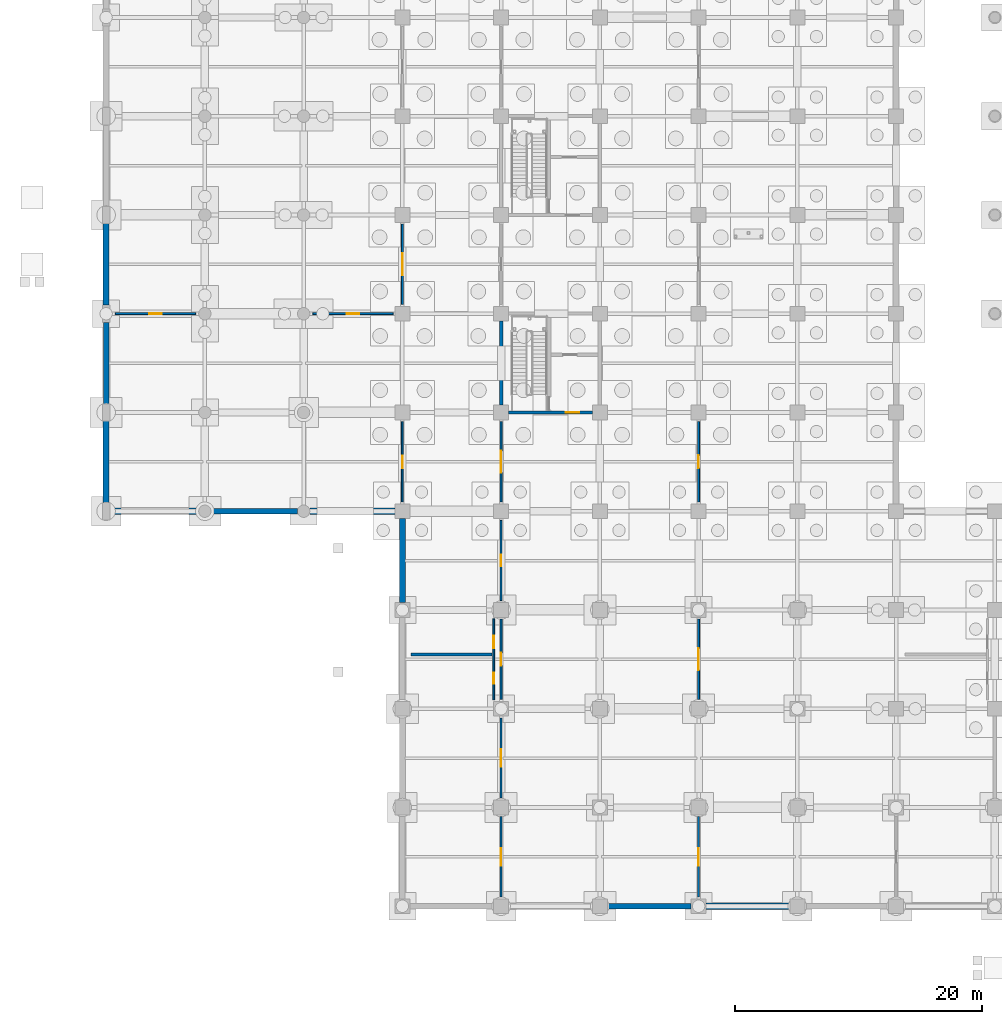
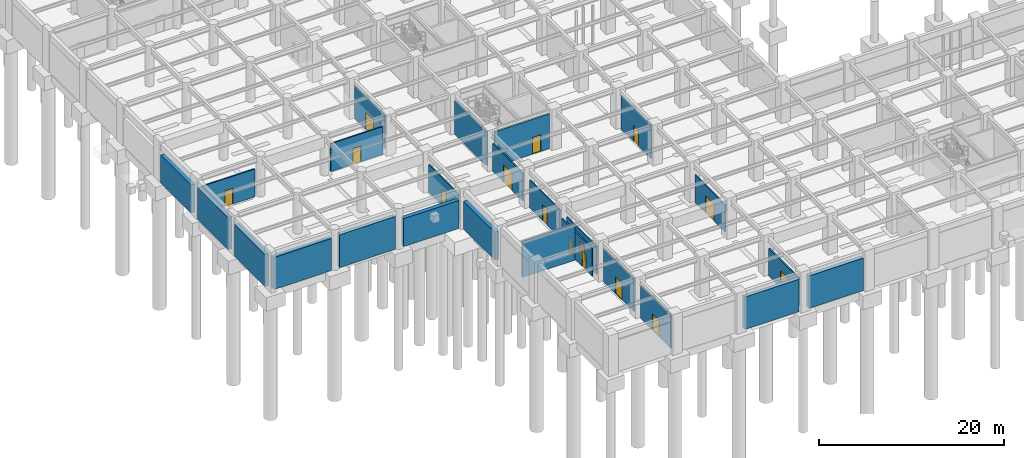
# One storey, part 67 of 97: 25 walls, 15 doors, 15 openings.
"""IFC4 building model written with IfcOpenShell, lengths in metres."""

from ifc_helpers import new_model, si_unit, direction, frame, frame_2d, origin, place, context, subcontext, project, spatial, rectangle, extrude, material, layer, layer_set, type_object, element, fill, save


model = new_model("IFC4")

# Units and contexts
model_context = context("Model", 3, precision=1e-05, world=origin(), true_north=direction((0.0, 1.0)))
body_context = subcontext(model_context, "Body", "Model", "MODEL_VIEW")
ifc_project = project(units=[si_unit("LENGTHUNIT", "METRE"), si_unit("AREAUNIT", "SQUARE_METRE"), si_unit("VOLUMEUNIT", "CUBIC_METRE"), si_unit("PLANEANGLEUNIT", "RADIAN"), si_unit("MASSUNIT", "GRAM", prefix="KILO")], contexts=[model_context])

# Site, building, storey
site_placement = place(None, origin())
site = spatial("IfcSite", under=ifc_project, at=site_placement, CompositionType="ELEMENT")
building_placement = place(site_placement, origin())
building = spatial("IfcBuilding", under=site, at=building_placement, Name="Haebicheon Civic Stadium", CompositionType="ELEMENT")
storey_placement = place(building_placement, frame((0.0, 0.0, -5.39990234375)))
storey = spatial("IfcBuildingStorey", under=building, at=storey_placement, Name="B1", CompositionType="ELEMENT", Elevation=-5.39990234375)

# Wall, opening, door
ifc_material_1 = material(Name="Concrete C40/50", Category="concrete")
ifc_layer_1 = layer(ifc_material_1, 0.239990234375, Name="Concrete C40/50")
ifc_layer_set_1 = layer_set([ifc_layer_1], Name="Concrete C40/50")
wall_type_1 = type_object("IfcWallType", Name="CW-SHR-240", PredefinedType="SHEAR", material=ifc_layer_set_1)
wall_1_placement = place(storey_placement, frame((32.60009765625, 40.0, 0.0), z_axis=(0.0, 0.0, 1.0), x_axis=(1.0, 0.0, 0.0)))
wall_1 = element("IfcWall", 1, at=wall_1_placement, inside=storey, type_object=wall_type_1, material=ifc_layer_set_1, Name="KC-01 B1 south core shear wall", PredefinedType="SHEAR", context=body_context, shape_type="SweptSolid", body=[
    extrude(rectangle(XDim=6.7998046875, YDim=0.239990234375, at=frame_2d((3.39990234375, 0.0))), origin(), (0.0, 0.0, 1.0), 4.58984375),
])
opening_1_placement = place(wall_1_placement, frame((4.64990234375, 0.0, 0.0)))
opening_1 = element("IfcOpeningElement", 2, at=opening_1_placement, cuts=wall_1, Name="Opening D-B1-KC-01-LOB", PredefinedType="OPENING", context=body_context, shape_type="SweptSolid", body=[
    extrude(rectangle(XDim=1.10009765625, YDim=2.199951171875, at=frame_2d((0.550048828125, 1.10009765625))), frame((0.0, 0.1298828125, 0.0), z_axis=(0.0, -1.0, 0.0), x_axis=(1.0, 0.0, 0.0)), (0.0, 0.0, 1.0), 0.260009765625),
])
ifc_material_2 = material(Name="Galvanised painted steel SM355", Category="steel")
door_type_1 = type_object("IfcDoorType", Name="ID-FD-1100", OperationType="NOTDEFINED", PredefinedType="DOOR", material=ifc_material_2)
door_1_placement = place(opening_1_placement, origin())
door_1 = element("IfcDoor", 3, at=door_1_placement, inside=storey, type_object=door_type_1, material=ifc_material_2, Name="B1 KC-01 lobby fire door", OperationType="SINGLE_SWING_LEFT", OverallHeight=2.199951171875, OverallWidth=1.10009765625, PredefinedType="DOOR", context=body_context, shape_type="SweptSolid", body=[
    extrude(rectangle(XDim=1.10009765625, YDim=2.199951171875, at=frame_2d((0.550048828125, 1.10009765625))), frame((0.0, 0.02490234375, 0.0), z_axis=(0.0, -1.0, 0.0), x_axis=(1.0, 0.0, 0.0)), (0.0, 0.0, 1.0), 0.050048828125),
])
fill(opening_1, door_1)

# Walls
ifc_material_3 = material(Name="Concrete C40/50", Category="concrete")
ifc_layer_2 = layer(ifc_material_3, 0.300048828125, Name="Concrete C40/50")
ifc_layer_set_2 = layer_set([ifc_layer_2], Name="Concrete C40/50")
wall_type_2 = type_object("IfcWallType", Name="CW-SHR-300", PredefinedType="SHEAR", material=ifc_layer_set_2)
wall_2_placement = place(storey_placement, frame((32.0, 40.60009765625, 0.0), z_axis=(0.0, 0.0, 1.0), x_axis=(0.0, 1.0, 0.0)))
element("IfcWall", 4, at=wall_2_placement, inside=storey, type_object=wall_type_2, material=ifc_layer_set_2, Name="KC-01 B1 west core shear wall", PredefinedType="SHEAR", context=body_context, shape_type="SweptSolid", body=[
    extrude(rectangle(XDim=6.7998046875, YDim=0.300048828125, at=frame_2d((3.39990234375, 0.0))), origin(), (0.0, 0.0, 1.0), 4.389892578125),
])
ifc_material_4 = material(Name="Concrete C40/50", Category="concrete")
ifc_layer_3 = layer(ifc_material_4, 0.4599609375, Name="Concrete C40/50")
ifc_layer_set_3 = layer_set([ifc_layer_3], Name="Concrete C40/50")
wall_type_3 = type_object("IfcWallType", Name="EW-RET-460", PredefinedType="STANDARD", material=ifc_layer_set_3)
wall_3_placement = place(storey_placement, frame((0.0, 40.699951171875, 0.0), z_axis=(0.0, 0.0, 1.0), x_axis=(0.0, 1.0, 0.0)))
element("IfcWall", 5, at=wall_3_placement, inside=storey, type_object=wall_type_3, material=ifc_layer_set_3, Name="B1 retaining wall 00-05-W", PredefinedType="STANDARD", context=body_context, shape_type="SweptSolid", body=[
    extrude(rectangle(XDim=6.60009765625, YDim=0.4599609375, at=frame_2d((3.300048828125, 0.0))), origin(), (0.0, 0.0, 1.0), 4.239990234375),
])
wall_4_placement = place(storey_placement, frame((8.5, 32.0, 0.0), z_axis=(0.0, 0.0, 1.0), x_axis=(1.0, 0.0, 0.0)))
element("IfcWall", 6, at=wall_4_placement, inside=storey, type_object=wall_type_3, material=ifc_layer_set_3, Name="B1 retaining wall 01-04-S", PredefinedType="STANDARD", context=body_context, shape_type="SweptSolid", body=[
    extrude(rectangle(XDim=7.0, YDim=0.4599609375, at=frame_2d((3.5, 0.0))), origin(), (0.0, 0.0, 1.0), 4.33984375),
])
wall_5_placement = place(storey_placement, frame((40.60009765625, 0.0, 0.0), z_axis=(0.0, 0.0, 1.0), x_axis=(1.0, 0.0, 0.0)))
element("IfcWall", 7, at=wall_5_placement, inside=storey, type_object=wall_type_3, material=ifc_layer_set_3, Name="B1 retaining wall 05-00-S", PredefinedType="STANDARD", context=body_context, shape_type="SweptSolid", body=[
    extrude(rectangle(XDim=6.7998046875, YDim=0.4599609375, at=frame_2d((3.39990234375, 0.0))), origin(), (0.0, 0.0, 1.0), 4.289794921875),
])
ifc_material_5 = material(Name="Concrete C40/50", Category="concrete")
ifc_layer_4 = layer(ifc_material_5, 0.5, Name="Concrete C40/50")
ifc_layer_set_4 = layer_set([ifc_layer_4], Name="Concrete C40/50")
wall_type_4 = type_object("IfcWallType", Name="EW-RET-500", PredefinedType="STANDARD", material=ifc_layer_set_4)
wall_6_placement = place(storey_placement, frame((0.300048828125, 32.0, 0.0), z_axis=(0.0, 0.0, 1.0), x_axis=(1.0, 0.0, 0.0)))
element("IfcWall", 8, at=wall_6_placement, inside=storey, type_object=wall_type_4, material=ifc_layer_set_4, Name="B1 retaining wall 00-04-S", PredefinedType="STANDARD", context=body_context, shape_type="SweptSolid", body=[
    extrude(rectangle(XDim=7.199951171875, YDim=0.5, at=frame_2d((3.60009765625, 0.0))), origin(), (0.0, 0.0, 1.0), 4.239990234375),
])
wall_7_placement = place(storey_placement, frame((0.0, 32.699951171875, 0.0), z_axis=(0.0, 0.0, 1.0), x_axis=(0.0, 1.0, 0.0)))
element("IfcWall", 9, at=wall_7_placement, inside=storey, type_object=wall_type_4, material=ifc_layer_set_4, Name="B1 retaining wall 00-04-W", PredefinedType="STANDARD", context=body_context, shape_type="SweptSolid", body=[
    extrude(rectangle(XDim=6.60009765625, YDim=0.5, at=frame_2d((3.300048828125, 0.0))), origin(), (0.0, 0.0, 1.0), 4.239990234375),
])
wall_8_placement = place(storey_placement, frame((0.0, 48.699951171875, 0.0), z_axis=(0.0, 0.0, 1.0), x_axis=(0.0, 1.0, 0.0)))
element("IfcWall", 10, at=wall_8_placement, inside=storey, type_object=wall_type_4, material=ifc_layer_set_4, Name="B1 retaining wall 00-06-W", PredefinedType="STANDARD", context=body_context, shape_type="SweptSolid", body=[
    extrude(rectangle(XDim=6.60009765625, YDim=0.5, at=frame_2d((3.300048828125, 0.0))), origin(), (0.0, 0.0, 1.0), 3.68994140625),
])
wall_9_placement = place(storey_placement, frame((16.5, 32.0, 0.0), z_axis=(0.0, 0.0, 1.0), x_axis=(1.0, 0.0, 0.0)))
element("IfcWall", 11, at=wall_9_placement, inside=storey, type_object=wall_type_4, material=ifc_layer_set_4, Name="B1 retaining wall 02-04-S", PredefinedType="STANDARD", context=body_context, shape_type="SweptSolid", body=[
    extrude(rectangle(XDim=6.89990234375, YDim=0.5, at=frame_2d((3.449951171875, 0.0))), origin(), (0.0, 0.0, 1.0), 3.68994140625),
])
wall_10_placement = place(storey_placement, frame((24.0, 24.60009765625, 0.0), z_axis=(0.0, 0.0, 1.0), x_axis=(0.0, 1.0, 0.0)))
element("IfcWall", 12, at=wall_10_placement, inside=storey, type_object=wall_type_4, material=ifc_layer_set_4, Name="B1 retaining wall 03-03-W", PredefinedType="STANDARD", context=body_context, shape_type="SweptSolid", body=[
    extrude(rectangle(XDim=6.7998046875, YDim=0.5, at=frame_2d((3.39990234375, 0.0))), origin(), (0.0, 0.0, 1.0), 3.68994140625),
])
wall_11_placement = place(storey_placement, frame((48.60009765625, 0.0, 0.0), z_axis=(0.0, 0.0, 1.0), x_axis=(1.0, 0.0, 0.0)))
element("IfcWall", 13, at=wall_11_placement, inside=storey, type_object=wall_type_4, material=ifc_layer_set_4, Name="B1 retaining wall 06-00-S", PredefinedType="STANDARD", context=body_context, shape_type="SweptSolid", body=[
    extrude(rectangle(XDim=6.7998046875, YDim=0.5, at=frame_2d((3.39990234375, 0.0))), origin(), (0.0, 0.0, 1.0), 4.289794921875),
])

# Wall, opening, door
ifc_material_6 = material(Name="Anodised aluminium acoustic panel", Category="aluminium")
ifc_layer_5 = layer(ifc_material_6, 0.139892578125, Name="Anodised aluminium acoustic panel")
ifc_layer_set_5 = layer_set([ifc_layer_5], Name="Anodised aluminium acoustic panel")
wall_type_5 = type_object("IfcWallType", Name="IW-MOV-140", PredefinedType="MOVABLE", material=ifc_layer_set_5)
wall_12_placement = place(storey_placement, frame((32.0, 24.75, 0.0), z_axis=(0.0, 0.0, 1.0), x_axis=(0.0, 1.0, 0.0)))
wall_12 = element("IfcWall", 14, at=wall_12_placement, inside=storey, type_object=wall_type_5, material=ifc_layer_set_5, Name="B1 Home Team Changing Room partition wall", PredefinedType="MOVABLE", context=body_context, shape_type="SweptSolid", body=[
    extrude(rectangle(XDim=6.5, YDim=0.139892578125, at=frame_2d((3.25, 0.0))), origin(), (0.0, 0.0, 1.0), 3.68994140625),
])
opening_2_placement = place(wall_12_placement, frame((2.77490234375, 0.0, 0.0)))
opening_2 = element("IfcOpeningElement", 15, at=opening_2_placement, cuts=wall_12, Name="Opening D-B1-001", PredefinedType="OPENING", context=body_context, shape_type="SweptSolid", body=[
    extrude(rectangle(XDim=0.949951171875, YDim=2.10009765625, at=frame_2d((0.47509765625, 1.050048828125))), frame((0.0, 0.079833984375, 0.0), z_axis=(0.0, -1.0, 0.0), x_axis=(1.0, 0.0, 0.0)), (0.0, 0.0, 1.0), 0.159912109375),
])
ifc_material_7 = material(Name="Engineered hardwood timber", Category="wood")
door_type_2 = type_object("IfcDoorType", Name="ID-RM-0950", OperationType="NOTDEFINED", PredefinedType="DOOR", material=ifc_material_7)
door_2_placement = place(opening_2_placement, origin())
door_2 = element("IfcDoor", 16, at=door_2_placement, inside=storey, type_object=door_type_2, material=ifc_material_7, Name="B1 Home Team Changing Room entrance door D-B1-001", OperationType="SINGLE_SWING_LEFT", OverallHeight=2.10009765625, OverallWidth=0.949951171875, PredefinedType="DOOR", context=body_context, shape_type="SweptSolid", body=[
    extrude(rectangle(XDim=0.949951171875, YDim=2.10009765625, at=frame_2d((0.47509765625, 1.050048828125))), frame((0.0, 0.02490234375, 0.0), z_axis=(0.0, -1.0, 0.0), x_axis=(1.0, 0.0, 0.0)), (0.0, 0.0, 1.0), 0.050048828125),
])
fill(opening_2, door_2)

wall_13_placement = place(storey_placement, frame((24.0, 32.75, 0.0), z_axis=(0.0, 0.0, 1.0), x_axis=(0.0, 1.0, 0.0)))
wall_13 = element("IfcWall", 17, at=wall_13_placement, inside=storey, type_object=wall_type_5, material=ifc_layer_set_5, Name="B1 Visiting Team Changing Room partition wall", PredefinedType="MOVABLE", context=body_context, shape_type="SweptSolid", body=[
    extrude(rectangle(XDim=6.5, YDim=0.139892578125, at=frame_2d((3.25, 0.0))), origin(), (0.0, 0.0, 1.0), 3.68994140625),
])
opening_3_placement = place(wall_13_placement, frame((2.75, 0.0, 0.0)))
opening_3 = element("IfcOpeningElement", 18, at=opening_3_placement, cuts=wall_13, Name="Opening D-B1-002", PredefinedType="OPENING", context=body_context, shape_type="SweptSolid", body=[
    extrude(rectangle(XDim=1.0, YDim=2.10009765625, at=frame_2d((0.5, 1.050048828125))), frame((0.0, 0.079833984375, 0.0), z_axis=(0.0, -1.0, 0.0), x_axis=(1.0, 0.0, 0.0)), (0.0, 0.0, 1.0), 0.159912109375),
])
ifc_material_8 = material(Name="Engineered hardwood timber", Category="wood")
door_type_3 = type_object("IfcDoorType", Name="ID-RM-1000", OperationType="NOTDEFINED", PredefinedType="DOOR", material=ifc_material_8)
door_3_placement = place(opening_3_placement, origin())
door_3 = element("IfcDoor", 19, at=door_3_placement, inside=storey, type_object=door_type_3, material=ifc_material_8, Name="B1 Visiting Team Changing Room entrance door D-B1-002", OperationType="SINGLE_SWING_RIGHT", OverallHeight=2.10009765625, OverallWidth=1.0, PredefinedType="DOOR", context=body_context, shape_type="SweptSolid", body=[
    extrude(rectangle(XDim=1.0, YDim=2.10009765625, at=frame_2d((0.5, 1.050048828125))), frame((0.0, 0.02490234375, 0.0), z_axis=(0.0, -1.0, 0.0), x_axis=(1.0, 0.0, 0.0)), (0.0, 0.0, 1.0), 0.050048828125),
])
fill(opening_3, door_3)

# Wall
ifc_material_9 = material(Name="Concrete C35/45", Category="concrete")
ifc_layer_6 = layer(ifc_material_9, 0.219970703125, Name="Concrete C35/45")
ifc_layer_set_6 = layer_set([ifc_layer_6], Name="Concrete C35/45")
wall_type_6 = type_object("IfcWallType", Name="IW-PLB-220", PredefinedType="PLUMBINGWALL", material=ifc_layer_set_6)
wall_14_placement = place(storey_placement, frame((24.719970703125, 20.39990234375, 0.0), z_axis=(0.0, 0.0, 1.0), x_axis=(1.0, 0.0, 0.0)))
element("IfcWall", 20, at=wall_14_placement, inside=storey, type_object=wall_type_6, material=ifc_layer_set_6, Name="B1 sanitary plumbing chase wall 01", PredefinedType="PLUMBINGWALL", context=body_context, shape_type="SweptSolid", body=[
    extrude(rectangle(XDim=6.56005859375, YDim=0.219970703125, at=frame_2d((3.280029296875, 0.0))), origin(), (0.0, 0.0, 1.0), 4.68994140625),
])

# Wall, openings, doors
ifc_material_10 = material(Name="Gypsum plasterboard on steel studs", Category="gypsum")
ifc_layer_7 = layer(ifc_material_10, 0.14990234375, Name="Gypsum plasterboard on steel studs")
ifc_layer_set_7 = layer_set([ifc_layer_7], Name="Gypsum plasterboard on steel studs")
wall_type_7 = type_object("IfcWallType", Name="IW-PRT-150", PredefinedType="PARTITIONING", material=ifc_layer_set_7)
wall_15_placement = place(storey_placement, frame((31.39990234375, 16.719970703125, 0.0), z_axis=(0.0, 0.0, 1.0), x_axis=(0.0, 1.0, 0.0)))
wall_15 = element("IfcWall", 21, at=wall_15_placement, inside=storey, type_object=wall_type_7, material=ifc_layer_set_7, Name="B1 sanitary enclosure front wall 01", PredefinedType="PARTITIONING", context=body_context, shape_type="SweptSolid", body=[
    extrude(rectangle(XDim=6.56005859375, YDim=0.14990234375, at=frame_2d((3.280029296875, 0.0))), origin(), (0.0, 0.0, 1.0), 3.68994140625),
])
opening_4_placement = place(wall_15_placement, frame((1.300048828125, 0.0, 0.0)))
opening_4 = element("IfcOpeningElement", 22, at=opening_4_placement, cuts=wall_15, Name="Opening D-B1-WC-01A", PredefinedType="OPENING", context=body_context, shape_type="SweptSolid", body=[
    extrude(rectangle(XDim=0.89990234375, YDim=2.10009765625, at=frame_2d((0.449951171875, 1.050048828125))), frame((0.0, 0.0849609375, 0.0), z_axis=(0.0, -1.0, 0.0), x_axis=(1.0, 0.0, 0.0)), (0.0, 0.0, 1.0), 0.169921875),
])
opening_5_placement = place(wall_15_placement, frame((4.199951171875, 0.0, 0.0)))
opening_5 = element("IfcOpeningElement", 23, at=opening_5_placement, cuts=wall_15, Name="Opening D-B1-AWC-01B", PredefinedType="OPENING", context=body_context, shape_type="SweptSolid", body=[
    extrude(rectangle(XDim=1.0, YDim=2.14990234375, at=frame_2d((0.5, 1.074951171875))), frame((0.0, 0.0849609375, 0.0), z_axis=(0.0, -1.0, 0.0), x_axis=(1.0, 0.0, 0.0)), (0.0, 0.0, 1.0), 0.169921875),
])
ifc_material_11 = material(Name="Anodised aluminium 6063-T6", Category="aluminium")
door_type_4 = type_object("IfcDoorType", Name="ID-AWC-1000", OperationType="NOTDEFINED", PredefinedType="DOOR", material=ifc_material_11)
door_4_placement = place(opening_5_placement, origin())
door_4 = element("IfcDoor", 24, at=door_4_placement, inside=storey, type_object=door_type_4, material=ifc_material_11, Name="B1 accessible WC door 01", OperationType="SINGLE_SWING_RIGHT", OverallHeight=2.14990234375, OverallWidth=1.0, PredefinedType="DOOR", context=body_context, shape_type="SweptSolid", body=[
    extrude(rectangle(XDim=1.0, YDim=2.14990234375, at=frame_2d((0.5, 1.074951171875))), frame((0.0, 0.02490234375, 0.0), z_axis=(0.0, -1.0, 0.0), x_axis=(1.0, 0.0, 0.0)), (0.0, 0.0, 1.0), 0.050048828125),
])
fill(opening_5, door_4)
ifc_material_12 = material(Name="Anodised aluminium 6063-T6", Category="aluminium")
door_type_5 = type_object("IfcDoorType", Name="ID-WC-0900", OperationType="NOTDEFINED", PredefinedType="DOOR", material=ifc_material_12)
door_5_placement = place(opening_4_placement, origin())
door_5 = element("IfcDoor", 25, at=door_5_placement, inside=storey, type_object=door_type_5, material=ifc_material_12, Name="B1 public restroom door 01", OperationType="SINGLE_SWING_LEFT", OverallHeight=2.10009765625, OverallWidth=0.89990234375, PredefinedType="DOOR", context=body_context, shape_type="SweptSolid", body=[
    extrude(rectangle(XDim=0.89990234375, YDim=2.10009765625, at=frame_2d((0.449951171875, 1.050048828125))), frame((0.0, 0.02490234375, 0.0), z_axis=(0.0, -1.0, 0.0), x_axis=(1.0, 0.0, 0.0)), (0.0, 0.0, 1.0), 0.050048828125),
])
fill(opening_4, door_5)

# Wall, opening, door
wall_16_placement = place(storey_placement, frame((24.0, 48.75, 0.0), z_axis=(0.0, 0.0, 1.0), x_axis=(0.0, 1.0, 0.0)))
wall_16 = element("IfcWall", 26, at=wall_16_placement, inside=storey, type_object=wall_type_7, material=ifc_layer_set_7, Name="B1 Athlete Indoor Warm-Up Sprint Hall partition wall", PredefinedType="PARTITIONING", context=body_context, shape_type="SweptSolid", body=[
    extrude(rectangle(XDim=6.5, YDim=0.14990234375, at=frame_2d((3.25, 0.0))), origin(), (0.0, 0.0, 1.0), 4.389892578125),
])
opening_6_placement = place(wall_16_placement, frame((2.35009765625, 0.0, 0.0)))
opening_6 = element("IfcOpeningElement", 27, at=opening_6_placement, cuts=wall_16, Name="Opening D-B1-003", PredefinedType="OPENING", context=body_context, shape_type="SweptSolid", body=[
    extrude(rectangle(XDim=1.800048828125, YDim=2.300048828125, at=frame_2d((0.89990234375, 1.14990234375))), frame((0.0, 0.0849609375, 0.0), z_axis=(0.0, -1.0, 0.0), x_axis=(1.0, 0.0, 0.0)), (0.0, 0.0, 1.0), 0.169921875),
])
ifc_material_13 = material(Name="Galvanised painted steel SM355", Category="steel")
door_type_6 = type_object("IfcDoorType", Name="ID-DBL-1800", OperationType="NOTDEFINED", PredefinedType="DOOR", material=ifc_material_13)
door_6_placement = place(opening_6_placement, origin())
door_6 = element("IfcDoor", 28, at=door_6_placement, inside=storey, type_object=door_type_6, material=ifc_material_13, Name="B1 Athlete Indoor Warm-Up Sprint Hall entrance door D-B1-003", OperationType="DOUBLE_SWING_LEFT", OverallHeight=2.300048828125, OverallWidth=1.800048828125, PredefinedType="DOOR", context=body_context, shape_type="SweptSolid", body=[
    extrude(rectangle(XDim=1.800048828125, YDim=2.300048828125, at=frame_2d((0.89990234375, 1.14990234375))), frame((0.0, 0.02490234375, 0.0), z_axis=(0.0, -1.0, 0.0), x_axis=(1.0, 0.0, 0.0)), (0.0, 0.0, 1.0), 0.050048828125),
])
fill(opening_6, door_6)

wall_17_placement = place(storey_placement, frame((32.0, 16.75, 0.0), z_axis=(0.0, 0.0, 1.0), x_axis=(0.0, 1.0, 0.0)))
wall_17 = element("IfcWall", 29, at=wall_17_placement, inside=storey, type_object=wall_type_7, material=ifc_layer_set_7, Name="B1 Doping Control and Medical Examination Suite partition wall", PredefinedType="PARTITIONING", context=body_context, shape_type="SweptSolid", body=[
    extrude(rectangle(XDim=6.5, YDim=0.14990234375, at=frame_2d((3.25, 0.0))), origin(), (0.0, 0.0, 1.0), 3.68994140625),
])
opening_7_placement = place(wall_17_placement, frame((2.72509765625, 0.0, 0.0)))
opening_7 = element("IfcOpeningElement", 30, at=opening_7_placement, cuts=wall_17, Name="Opening D-B1-011", PredefinedType="OPENING", context=body_context, shape_type="SweptSolid", body=[
    extrude(rectangle(XDim=1.050048828125, YDim=2.14990234375, at=frame_2d((0.52490234375, 1.074951171875))), frame((0.0, 0.0849609375, 0.0), z_axis=(0.0, -1.0, 0.0), x_axis=(1.0, 0.0, 0.0)), (0.0, 0.0, 1.0), 0.169921875),
])
ifc_material_14 = material(Name="Engineered hardwood timber", Category="wood")
door_type_7 = type_object("IfcDoorType", Name="ID-RM-1050", OperationType="NOTDEFINED", PredefinedType="DOOR", material=ifc_material_14)
door_7_placement = place(opening_7_placement, origin())
door_7 = element("IfcDoor", 31, at=door_7_placement, inside=storey, type_object=door_type_7, material=ifc_material_14, Name="B1 Doping Control and Medical Examination Suite entrance door D-B1-011", OperationType="SINGLE_SWING_RIGHT", OverallHeight=2.14990234375, OverallWidth=1.050048828125, PredefinedType="DOOR", context=body_context, shape_type="SweptSolid", body=[
    extrude(rectangle(XDim=1.050048828125, YDim=2.14990234375, at=frame_2d((0.52490234375, 1.074951171875))), frame((0.0, 0.02490234375, 0.0), z_axis=(0.0, -1.0, 0.0), x_axis=(1.0, 0.0, 0.0)), (0.0, 0.0, 1.0), 0.050048828125),
])
fill(opening_7, door_7)

wall_18_placement = place(storey_placement, frame((32.0, 32.75, 0.0), z_axis=(0.0, 0.0, 1.0), x_axis=(0.0, 1.0, 0.0)))
wall_18 = element("IfcWall", 32, at=wall_18_placement, inside=storey, type_object=wall_type_7, material=ifc_layer_set_7, Name="B1 Post-Match Press Conference Hall partition wall", PredefinedType="PARTITIONING", context=body_context, shape_type="SweptSolid", body=[
    extrude(rectangle(XDim=6.5, YDim=0.14990234375, at=frame_2d((3.25, 0.0))), origin(), (0.0, 0.0, 1.0), 3.68994140625),
])
opening_8_placement = place(wall_18_placement, frame((2.35009765625, 0.0, 0.0)))
opening_8 = element("IfcOpeningElement", 33, at=opening_8_placement, cuts=wall_18, Name="Opening D-B1-012", PredefinedType="OPENING", context=body_context, shape_type="SweptSolid", body=[
    extrude(rectangle(XDim=1.800048828125, YDim=2.300048828125, at=frame_2d((0.89990234375, 1.14990234375))), frame((0.0, 0.0849609375, 0.0), z_axis=(0.0, -1.0, 0.0), x_axis=(1.0, 0.0, 0.0)), (0.0, 0.0, 1.0), 0.169921875),
])
door_8_placement = place(opening_8_placement, origin())
door_8 = element("IfcDoor", 34, at=door_8_placement, inside=storey, type_object=door_type_6, material=ifc_material_13, Name="B1 Post-Match Press Conference Hall entrance door D-B1-012", OperationType="DOUBLE_SWING_LEFT", OverallHeight=2.300048828125, OverallWidth=1.800048828125, PredefinedType="DOOR", context=body_context, shape_type="SweptSolid", body=[
    extrude(rectangle(XDim=1.800048828125, YDim=2.300048828125, at=frame_2d((0.89990234375, 1.14990234375))), frame((0.0, 0.02490234375, 0.0), z_axis=(0.0, -1.0, 0.0), x_axis=(1.0, 0.0, 0.0)), (0.0, 0.0, 1.0), 0.050048828125),
])
fill(opening_8, door_8)

wall_19_placement = place(storey_placement, frame((48.0, 16.75, 0.0), z_axis=(0.0, 0.0, 1.0), x_axis=(0.0, 1.0, 0.0)))
wall_19 = element("IfcWall", 35, at=wall_19_placement, inside=storey, type_object=wall_type_7, material=ifc_layer_set_7, Name="B1 Athlete Indoor Warm-Up Sprint Hall partition wall", PredefinedType="PARTITIONING", context=body_context, shape_type="SweptSolid", body=[
    extrude(rectangle(XDim=6.5, YDim=0.14990234375, at=frame_2d((3.25, 0.0))), origin(), (0.0, 0.0, 1.0), 3.639892578125),
])
opening_9_placement = place(wall_19_placement, frame((2.35009765625, 0.0, 0.0)))
opening_9 = element("IfcOpeningElement", 36, at=opening_9_placement, cuts=wall_19, Name="Opening D-B1-021", PredefinedType="OPENING", context=body_context, shape_type="SweptSolid", body=[
    extrude(rectangle(XDim=1.800048828125, YDim=2.300048828125, at=frame_2d((0.89990234375, 1.14990234375))), frame((0.0, 0.0849609375, 0.0), z_axis=(0.0, -1.0, 0.0), x_axis=(1.0, 0.0, 0.0)), (0.0, 0.0, 1.0), 0.169921875),
])
door_9_placement = place(opening_9_placement, origin())
door_9 = element("IfcDoor", 37, at=door_9_placement, inside=storey, type_object=door_type_6, material=ifc_material_13, Name="B1 Athlete Indoor Warm-Up Sprint Hall entrance door D-B1-021", OperationType="DOUBLE_SWING_LEFT", OverallHeight=2.300048828125, OverallWidth=1.800048828125, PredefinedType="DOOR", context=body_context, shape_type="SweptSolid", body=[
    extrude(rectangle(XDim=1.800048828125, YDim=2.300048828125, at=frame_2d((0.89990234375, 1.14990234375))), frame((0.0, 0.02490234375, 0.0), z_axis=(0.0, -1.0, 0.0), x_axis=(1.0, 0.0, 0.0)), (0.0, 0.0, 1.0), 0.050048828125),
])
fill(opening_9, door_9)

wall_20_placement = place(storey_placement, frame((48.0, 32.75, 0.0), z_axis=(0.0, 0.0, 1.0), x_axis=(0.0, 1.0, 0.0)))
wall_20 = element("IfcWall", 38, at=wall_20_placement, inside=storey, type_object=wall_type_7, material=ifc_layer_set_7, Name="B1 Match Officials Locker Suite partition wall", PredefinedType="PARTITIONING", context=body_context, shape_type="SweptSolid", body=[
    extrude(rectangle(XDim=6.5, YDim=0.14990234375, at=frame_2d((3.25, 0.0))), origin(), (0.0, 0.0, 1.0), 4.389892578125),
])
opening_10_placement = place(wall_20_placement, frame((2.72509765625, 0.0, 0.0)))
opening_10 = element("IfcOpeningElement", 39, at=opening_10_placement, cuts=wall_20, Name="Opening D-B1-022", PredefinedType="OPENING", context=body_context, shape_type="SweptSolid", body=[
    extrude(rectangle(XDim=1.050048828125, YDim=2.14990234375, at=frame_2d((0.52490234375, 1.074951171875))), frame((0.0, 0.0849609375, 0.0), z_axis=(0.0, -1.0, 0.0), x_axis=(1.0, 0.0, 0.0)), (0.0, 0.0, 1.0), 0.169921875),
])
door_10_placement = place(opening_10_placement, origin())
door_10 = element("IfcDoor", 40, at=door_10_placement, inside=storey, type_object=door_type_7, material=ifc_material_14, Name="B1 Match Officials Locker Suite entrance door D-B1-022", OperationType="SINGLE_SWING_LEFT", OverallHeight=2.14990234375, OverallWidth=1.050048828125, PredefinedType="DOOR", context=body_context, shape_type="SweptSolid", body=[
    extrude(rectangle(XDim=1.050048828125, YDim=2.14990234375, at=frame_2d((0.52490234375, 1.074951171875))), frame((0.0, 0.02490234375, 0.0), z_axis=(0.0, -1.0, 0.0), x_axis=(1.0, 0.0, 0.0)), (0.0, 0.0, 1.0), 0.050048828125),
])
fill(opening_10, door_10)

ifc_material_15 = material(Name="Concrete C35/45", Category="concrete")
ifc_layer_8 = layer(ifc_material_15, 0.159912109375, Name="Concrete C35/45")
ifc_layer_set_8 = layer_set([ifc_layer_8], Name="Concrete C35/45")
wall_type_8 = type_object("IfcWallType", Name="IW-PRT-160", PredefinedType="PARTITIONING", material=ifc_layer_set_8)
wall_21_placement = place(storey_placement, frame((0.75, 48.0, 0.0), z_axis=(0.0, 0.0, 1.0), x_axis=(1.0, 0.0, 0.0)))
wall_21 = element("IfcWall", 41, at=wall_21_placement, inside=storey, type_object=wall_type_8, material=ifc_layer_set_8, Name="B1 Bicycle Parking and Locker Store partition wall", PredefinedType="PARTITIONING", context=body_context, shape_type="SweptSolid", body=[
    extrude(rectangle(XDim=6.5, YDim=0.159912109375, at=frame_2d((3.25, 0.0))), origin(), (0.0, 0.0, 1.0), 3.68994140625),
])
opening_11_placement = place(wall_21_placement, frame((2.75, 0.0, 0.0)))
opening_11 = element("IfcOpeningElement", 42, at=opening_11_placement, cuts=wall_21, Name="Opening D-B1-096", PredefinedType="OPENING", context=body_context, shape_type="SweptSolid", body=[
    extrude(rectangle(XDim=1.0, YDim=2.10009765625, at=frame_2d((0.5, 1.050048828125))), frame((0.0, 0.08984375, 0.0), z_axis=(0.0, -1.0, 0.0), x_axis=(1.0, 0.0, 0.0)), (0.0, 0.0, 1.0), 0.179931640625),
])
door_11_placement = place(opening_11_placement, origin())
door_11 = element("IfcDoor", 43, at=door_11_placement, inside=storey, type_object=door_type_3, material=ifc_material_8, Name="B1 Bicycle Parking and Locker Store entrance door D-B1-096", OperationType="SINGLE_SWING_RIGHT", OverallHeight=2.10009765625, OverallWidth=1.0, PredefinedType="DOOR", context=body_context, shape_type="SweptSolid", body=[
    extrude(rectangle(XDim=1.0, YDim=2.10009765625, at=frame_2d((0.5, 1.050048828125))), frame((0.0, 0.02490234375, 0.0), z_axis=(0.0, -1.0, 0.0), x_axis=(1.0, 0.0, 0.0)), (0.0, 0.0, 1.0), 0.050048828125),
])
fill(opening_11, door_11)

wall_22_placement = place(storey_placement, frame((16.75, 48.0, 0.0), z_axis=(0.0, 0.0, 1.0), x_axis=(1.0, 0.0, 0.0)))
wall_22 = element("IfcWall", 44, at=wall_22_placement, inside=storey, type_object=wall_type_8, material=ifc_layer_set_8, Name="B1 Bicycle Parking and Locker Store partition wall", PredefinedType="PARTITIONING", context=body_context, shape_type="SweptSolid", body=[
    extrude(rectangle(XDim=6.5, YDim=0.159912109375, at=frame_2d((3.25, 0.0))), origin(), (0.0, 0.0, 1.0), 3.68994140625),
])
opening_12_placement = place(wall_22_placement, frame((2.75, 0.0, 0.0)))
opening_12 = element("IfcOpeningElement", 45, at=opening_12_placement, cuts=wall_22, Name="Opening D-B1-100", PredefinedType="OPENING", context=body_context, shape_type="SweptSolid", body=[
    extrude(rectangle(XDim=1.0, YDim=2.10009765625, at=frame_2d((0.5, 1.050048828125))), frame((0.0, 0.08984375, 0.0), z_axis=(0.0, -1.0, 0.0), x_axis=(1.0, 0.0, 0.0)), (0.0, 0.0, 1.0), 0.179931640625),
])
door_12_placement = place(opening_12_placement, origin())
door_12 = element("IfcDoor", 46, at=door_12_placement, inside=storey, type_object=door_type_3, material=ifc_material_8, Name="B1 Bicycle Parking and Locker Store entrance door D-B1-100", OperationType="SINGLE_SWING_RIGHT", OverallHeight=2.10009765625, OverallWidth=1.0, PredefinedType="DOOR", context=body_context, shape_type="SweptSolid", body=[
    extrude(rectangle(XDim=1.0, YDim=2.10009765625, at=frame_2d((0.5, 1.050048828125))), frame((0.0, 0.02490234375, 0.0), z_axis=(0.0, -1.0, 0.0), x_axis=(1.0, 0.0, 0.0)), (0.0, 0.0, 1.0), 0.050048828125),
])
fill(opening_12, door_12)

ifc_material_16 = material(Name="Concrete C35/45", Category="concrete")
ifc_layer_9 = layer(ifc_material_16, 0.179931640625, Name="Concrete C35/45")
ifc_layer_set_9 = layer_set([ifc_layer_9], Name="Concrete C35/45")
wall_type_9 = type_object("IfcWallType", Name="IW-PRT-180", PredefinedType="PARTITIONING", material=ifc_layer_set_9)
wall_23_placement = place(storey_placement, frame((32.0, 0.75, 0.0), z_axis=(0.0, 0.0, 1.0), x_axis=(0.0, 1.0, 0.0)))
wall_23 = element("IfcWall", 47, at=wall_23_placement, inside=storey, type_object=wall_type_9, material=ifc_layer_set_9, Name="B1 Rainwater Harvesting Cistern Plant partition wall", PredefinedType="PARTITIONING", context=body_context, shape_type="SweptSolid", body=[
    extrude(rectangle(XDim=6.5, YDim=0.179931640625, at=frame_2d((3.25, 0.0))), origin(), (0.0, 0.0, 1.0), 4.33984375),
])
opening_13_placement = place(wall_23_placement, frame((2.550048828125, 0.0, 0.0)))
opening_13 = element("IfcOpeningElement", 48, at=opening_13_placement, cuts=wall_23, Name="Opening D-B1-104", PredefinedType="OPENING", context=body_context, shape_type="SweptSolid", body=[
    extrude(rectangle(XDim=1.39990234375, YDim=2.199951171875, at=frame_2d((0.699951171875, 1.10009765625))), frame((0.0, 0.099853515625, 0.0), z_axis=(0.0, -1.0, 0.0), x_axis=(1.0, 0.0, 0.0)), (0.0, 0.0, 1.0), 0.199951171875),
])
ifc_material_17 = material(Name="Galvanised painted steel SM355", Category="steel")
door_type_8 = type_object("IfcDoorType", Name="ID-PLT-1400", OperationType="NOTDEFINED", PredefinedType="DOOR", material=ifc_material_17)
door_13_placement = place(opening_13_placement, origin())
door_13 = element("IfcDoor", 49, at=door_13_placement, inside=storey, type_object=door_type_8, material=ifc_material_17, Name="B1 Rainwater Harvesting Cistern Plant entrance door D-B1-104", OperationType="SINGLE_SWING_RIGHT", OverallHeight=2.199951171875, OverallWidth=1.39990234375, PredefinedType="DOOR", context=body_context, shape_type="SweptSolid", body=[
    extrude(rectangle(XDim=1.39990234375, YDim=2.199951171875, at=frame_2d((0.699951171875, 1.10009765625))), frame((0.0, 0.02490234375, 0.0), z_axis=(0.0, -1.0, 0.0), x_axis=(1.0, 0.0, 0.0)), (0.0, 0.0, 1.0), 0.050048828125),
])
fill(opening_13, door_13)

wall_24_placement = place(storey_placement, frame((32.0, 8.75, 0.0), z_axis=(0.0, 0.0, 1.0), x_axis=(0.0, 1.0, 0.0)))
wall_24 = element("IfcWall", 50, at=wall_24_placement, inside=storey, type_object=wall_type_9, material=ifc_layer_set_9, Name="B1 Greywater Filtration and Reuse Plant partition wall", PredefinedType="PARTITIONING", context=body_context, shape_type="SweptSolid", body=[
    extrude(rectangle(XDim=6.5, YDim=0.179931640625, at=frame_2d((3.25, 0.0))), origin(), (0.0, 0.0, 1.0), 4.33984375),
])
opening_14_placement = place(wall_24_placement, frame((2.550048828125, 0.0, 0.0)))
opening_14 = element("IfcOpeningElement", 51, at=opening_14_placement, cuts=wall_24, Name="Opening D-B1-105", PredefinedType="OPENING", context=body_context, shape_type="SweptSolid", body=[
    extrude(rectangle(XDim=1.39990234375, YDim=2.199951171875, at=frame_2d((0.699951171875, 1.10009765625))), frame((0.0, 0.099853515625, 0.0), z_axis=(0.0, -1.0, 0.0), x_axis=(1.0, 0.0, 0.0)), (0.0, 0.0, 1.0), 0.199951171875),
])
door_14_placement = place(opening_14_placement, origin())
door_14 = element("IfcDoor", 52, at=door_14_placement, inside=storey, type_object=door_type_8, material=ifc_material_17, Name="B1 Greywater Filtration and Reuse Plant entrance door D-B1-105", OperationType="SINGLE_SWING_LEFT", OverallHeight=2.199951171875, OverallWidth=1.39990234375, PredefinedType="DOOR", context=body_context, shape_type="SweptSolid", body=[
    extrude(rectangle(XDim=1.39990234375, YDim=2.199951171875, at=frame_2d((0.699951171875, 1.10009765625))), frame((0.0, 0.02490234375, 0.0), z_axis=(0.0, -1.0, 0.0), x_axis=(1.0, 0.0, 0.0)), (0.0, 0.0, 1.0), 0.050048828125),
])
fill(opening_14, door_14)

wall_25_placement = place(storey_placement, frame((48.0, 0.75, 0.0), z_axis=(0.0, 0.0, 1.0), x_axis=(0.0, 1.0, 0.0)))
wall_25 = element("IfcWall", 53, at=wall_25_placement, inside=storey, type_object=wall_type_9, material=ifc_layer_set_9, Name="B1 Mechanical Chiller Plant partition wall", PredefinedType="PARTITIONING", context=body_context, shape_type="SweptSolid", body=[
    extrude(rectangle(XDim=6.5, YDim=0.179931640625, at=frame_2d((3.25, 0.0))), origin(), (0.0, 0.0, 1.0), 3.639892578125),
])
opening_15_placement = place(wall_25_placement, frame((2.550048828125, 0.0, 0.0)))
opening_15 = element("IfcOpeningElement", 54, at=opening_15_placement, cuts=wall_25, Name="Opening D-B1-106", PredefinedType="OPENING", context=body_context, shape_type="SweptSolid", body=[
    extrude(rectangle(XDim=1.39990234375, YDim=2.199951171875, at=frame_2d((0.699951171875, 1.10009765625))), frame((0.0, 0.099853515625, 0.0), z_axis=(0.0, -1.0, 0.0), x_axis=(1.0, 0.0, 0.0)), (0.0, 0.0, 1.0), 0.199951171875),
])
door_15_placement = place(opening_15_placement, origin())
door_15 = element("IfcDoor", 55, at=door_15_placement, inside=storey, type_object=door_type_8, material=ifc_material_17, Name="B1 Mechanical Chiller Plant entrance door D-B1-106", OperationType="SINGLE_SWING_RIGHT", OverallHeight=2.199951171875, OverallWidth=1.39990234375, PredefinedType="DOOR", context=body_context, shape_type="SweptSolid", body=[
    extrude(rectangle(XDim=1.39990234375, YDim=2.199951171875, at=frame_2d((0.699951171875, 1.10009765625))), frame((0.0, 0.02490234375, 0.0), z_axis=(0.0, -1.0, 0.0), x_axis=(1.0, 0.0, 0.0)), (0.0, 0.0, 1.0), 0.050048828125),
])
fill(opening_15, door_15)

save(model, "model.ifc")
